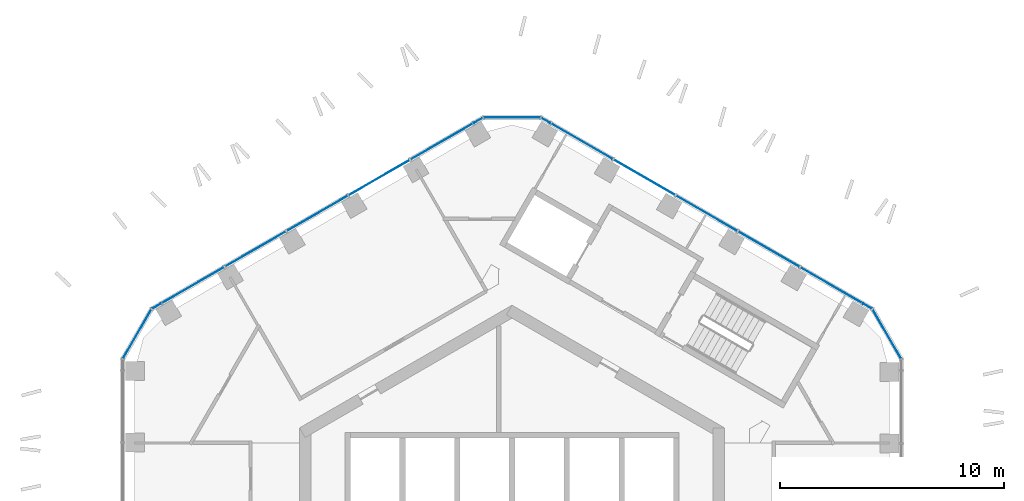
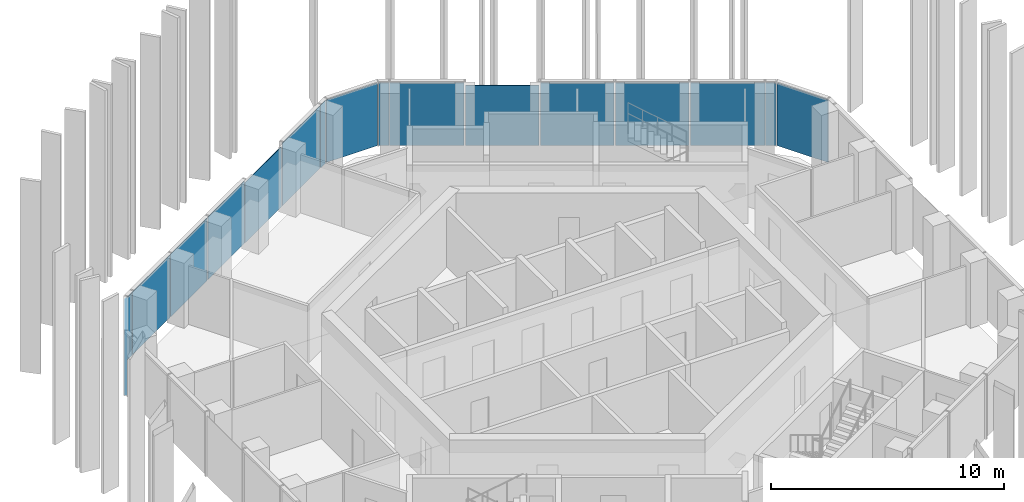
# One storey, part 11 of 18: 17 plates, 5 elements without a shape of their own.
"""IFC4 building model written with IfcOpenShell, lengths in metres."""

from ifc_helpers import new_model, si_unit, direction, frame, origin, origin_2d, place, context, subcontext, project, spatial, rectangle, extrude, material, layer, layer_set, type_object, element, aggregate, save


model = new_model("IFC4")

# Units and contexts
model_context = context("Model", 3, precision=1e-05, world=origin(), true_north=direction((0.0, 1.0)))
body_context = subcontext(model_context, "Body", "Model", "MODEL_VIEW")
ifc_project = project(units=[si_unit("LENGTHUNIT", "METRE"), si_unit("AREAUNIT", "SQUARE_METRE"), si_unit("VOLUMEUNIT", "CUBIC_METRE"), si_unit("PLANEANGLEUNIT", "RADIAN"), si_unit("MASSUNIT", "GRAM", prefix="KILO")], contexts=[model_context])

# Site, building, storey
site_placement = place(None, origin())
site = spatial("IfcSite", under=ifc_project, at=site_placement, CompositionType="ELEMENT")
building_placement = place(site_placement, origin())
building = spatial("IfcBuilding", under=site, at=building_placement, Name="Ayvan Gate Tower", CompositionType="ELEMENT")
storey_placement = place(building_placement, frame((0.0, 0.0, 218.89990234375)))
storey = spatial("IfcBuildingStorey", under=building, at=storey_placement, Name="L58", CompositionType="ELEMENT", Elevation=218.89990234375)

# Curtain wall, plates
ifc_material_1 = material(Name="Bronze anodised aluminium", Category="aluminium")
ifc_layer_1 = layer(ifc_material_1, 0.199951171875)
ifc_layer_set_1 = layer_set([ifc_layer_1], Name="Bronze anodised aluminium")
curtain_wall_type_1 = type_object("IfcCurtainWallType", Name="Stick curtain wall CW-2", PredefinedType="NOTDEFINED", material=ifc_layer_set_1)
curtain_wall_1_placement = place(storey_placement, origin())
curtain_wall_1 = element("IfcCurtainWall", 1, at=curtain_wall_1_placement, inside=storey, type_object=curtain_wall_type_1, Name="Stick curtain wall CW-2 L58", PredefinedType="NOTDEFINED")
ifc_material_2 = material(Name="Clear low-iron laminated glass", Category="glass")
ifc_layer_2 = layer(ifc_material_2, 0.028076171875)
ifc_layer_set_2 = layer_set([ifc_layer_2], Name="Clear low-iron laminated glass")
plate_type_1 = type_object("IfcPlateType", Name="Stick curtain wall CW-2 glass panel", PredefinedType="CURTAIN_PANEL", material=ifc_layer_set_2)
plate_1_placement = place(storey_placement, frame((-3.13037109375, 18.298828125, 0.0), z_axis=(0.0, 0.0, 1.0), x_axis=(-0.866025403784, -0.5, 0.0)))
plate_1 = element("IfcPlate", 2, at=plate_1_placement, type_object=plate_type_1, Name="CW-2 glass panel 1", PredefinedType="CURTAIN_PANEL", context=body_context, shape_type="SweptSolid", body=[
    extrude(rectangle(XDim=3.22705078125, YDim=0.028076171875, at=origin_2d()), origin(), (0.0, 0.0, 1.0), 3.280029296875),
])
plate_2_placement = place(storey_placement, frame((-5.9404296875, 16.676513671875, 0.000244140625), z_axis=(0.0, 0.0, 1.0), x_axis=(-0.866025403784, -0.5, 0.0)))
plate_2 = element("IfcPlate", 3, at=plate_2_placement, type_object=plate_type_1, Name="CW-2 glass panel 2", PredefinedType="CURTAIN_PANEL", context=body_context, shape_type="SweptSolid", body=[
    extrude(rectangle(XDim=3.123046875, YDim=0.028076171875, at=origin_2d()), origin(), (0.0, 0.0, 1.0), 3.14990234375),
])
plate_3_placement = place(storey_placement, frame((-8.706298828125, 15.07958984375, 0.0), z_axis=(0.0, 0.0, 1.0), x_axis=(-0.866025403784, -0.5, 0.0)))
plate_3 = element("IfcPlate", 4, at=plate_3_placement, type_object=plate_type_1, Name="CW-2 glass panel 3", PredefinedType="CURTAIN_PANEL", context=body_context, shape_type="SweptSolid", body=[
    extrude(rectangle(XDim=3.1240234375, YDim=0.028076171875, at=origin_2d()), origin(), (0.0, 0.0, 1.0), 3.280029296875),
])
plate_4_placement = place(storey_placement, frame((-11.471923828125, 13.48291015625, 0.0), z_axis=(0.0, 0.0, 1.0), x_axis=(-0.866025403784, -0.5, 0.0)))
plate_4 = element("IfcPlate", 5, at=plate_4_placement, type_object=plate_type_1, Name="CW-2 glass panel 4", PredefinedType="CURTAIN_PANEL", context=body_context, shape_type="SweptSolid", body=[
    extrude(rectangle(XDim=3.123046875, YDim=0.028076171875, at=origin_2d()), origin(), (0.0, 0.0, 1.0), 3.280029296875),
])
plate_5_placement = place(storey_placement, frame((-14.2822265625, 11.8603515625, 0.0), z_axis=(0.0, 0.0, 1.0), x_axis=(-0.866025403784, -0.5, 0.0)))
plate_5 = element("IfcPlate", 6, at=plate_5_placement, type_object=plate_type_1, Name="CW-2 glass panel 5", PredefinedType="CURTAIN_PANEL", context=body_context, shape_type="SweptSolid", body=[
    extrude(rectangle(XDim=3.22705078125, YDim=0.028076171875, at=origin_2d()), origin(), (0.0, 0.0, 1.0), 3.280029296875),
])
aggregate(curtain_wall_1, [plate_1, plate_2, plate_3, plate_4, plate_5])

curtain_wall_2_placement = place(storey_placement, origin())
curtain_wall_2 = element("IfcCurtainWall", 7, at=curtain_wall_2_placement, inside=storey, type_object=curtain_wall_type_1, Name="Stick curtain wall CW-2 L58", PredefinedType="NOTDEFINED")
plate_6_placement = place(storey_placement, frame((14.295654296875, 11.8525390625, 0.0), z_axis=(0.0, 0.0, 1.0), x_axis=(-0.866025403784, 0.5, 0.0)))
plate_6 = element("IfcPlate", 8, at=plate_6_placement, type_object=plate_type_1, Name="CW-2 glass panel 1", PredefinedType="CURTAIN_PANEL", context=body_context, shape_type="SweptSolid", body=[
    extrude(rectangle(XDim=3.196044921875, YDim=0.028076171875, at=origin_2d()), origin(), (0.0, 0.0, 1.0), 3.280029296875),
])
plate_7_placement = place(storey_placement, frame((11.48974609375, 13.47265625, 0.0), z_axis=(0.0, 0.0, 1.0), x_axis=(-0.866025403784, 0.5, 0.0)))
plate_7 = element("IfcPlate", 9, at=plate_7_placement, type_object=plate_type_1, Name="CW-2 glass panel 2", PredefinedType="CURTAIN_PANEL", context=body_context, shape_type="SweptSolid", body=[
    extrude(rectangle(XDim=3.14404296875, YDim=0.028076171875, at=origin_2d()), origin(), (0.0, 0.0, 1.0), 3.280029296875),
])
plate_8_placement = place(storey_placement, frame((8.706298828125, 15.07958984375, 0.0), z_axis=(0.0, 0.0, 1.0), x_axis=(-0.866025403784, 0.5, 0.0)))
plate_8 = element("IfcPlate", 10, at=plate_8_placement, type_object=plate_type_1, Name="CW-2 glass panel 3", PredefinedType="CURTAIN_PANEL", context=body_context, shape_type="SweptSolid", body=[
    extrude(rectangle(XDim=3.14404296875, YDim=0.028076171875, at=origin_2d()), origin(), (0.0, 0.0, 1.0), 3.280029296875),
])
plate_9_placement = place(storey_placement, frame((5.9228515625, 16.6865234375, 0.000244140625), z_axis=(0.0, 0.0, 1.0), x_axis=(-0.866025403784, 0.5, 0.0)))
plate_9 = element("IfcPlate", 11, at=plate_9_placement, type_object=plate_type_1, Name="CW-2 glass panel 4", PredefinedType="CURTAIN_PANEL", context=body_context, shape_type="SweptSolid", body=[
    extrude(rectangle(XDim=3.14404296875, YDim=0.028076171875, at=origin_2d()), origin(), (0.0, 0.0, 1.0), 3.14990234375),
])
plate_10_placement = place(storey_placement, frame((3.116943359375, 18.306640625, 0.0), z_axis=(0.0, 0.0, 1.0), x_axis=(-0.866025403784, 0.5, 0.0)))
plate_10 = element("IfcPlate", 12, at=plate_10_placement, type_object=plate_type_1, Name="CW-2 glass panel 5", PredefinedType="CURTAIN_PANEL", context=body_context, shape_type="SweptSolid", body=[
    extrude(rectangle(XDim=3.196044921875, YDim=0.028076171875, at=origin_2d()), origin(), (0.0, 0.0, 1.0), 3.280029296875),
])
aggregate(curtain_wall_2, [plate_6, plate_7, plate_8, plate_9, plate_10])

ifc_layer_3 = layer(ifc_material_1, 0.199951171875)
ifc_layer_set_3 = layer_set([ifc_layer_3], Name="Bronze anodised aluminium")
curtain_wall_type_2 = type_object("IfcCurtainWallType", Name="Stick curtain wall CW-6", PredefinedType="NOTDEFINED", material=ifc_layer_set_3)
curtain_wall_3_placement = place(storey_placement, origin())
curtain_wall_3 = element("IfcCurtainWall", 13, at=curtain_wall_3_placement, inside=storey, type_object=curtain_wall_type_2, Name="Stick curtain wall CW-6 L58", PredefinedType="NOTDEFINED")
ifc_layer_4 = layer(ifc_material_2, 0.028076171875)
ifc_layer_set_4 = layer_set([ifc_layer_4], Name="Clear low-iron laminated glass")
plate_type_2 = type_object("IfcPlateType", Name="Stick curtain wall CW-6 glass panel", PredefinedType="CURTAIN_PANEL", material=ifc_layer_set_4)
plate_11_placement = place(storey_placement, frame((-15.90478515625, 10.923583984375, 0.0), z_axis=(0.0, 0.0, 1.0), x_axis=(-0.866025403784, -0.5, 0.0)))
plate_11 = element("IfcPlate", 14, at=plate_11_placement, type_object=plate_type_2, Name="CW-6 glass panel 1", PredefinedType="CURTAIN_PANEL", context=body_context, shape_type="SweptSolid", body=[
    extrude(rectangle(XDim=0.449951171875, YDim=0.028076171875, at=origin_2d()), origin(), (0.0, 0.0, 1.0), 3.280029296875),
])
plate_12_placement = place(storey_placement, frame((-16.766845703125, 9.680419921875, 0.0), z_axis=(0.0, 0.0, 1.0), x_axis=(-0.5, -0.866025403784, 0.0)))
plate_12 = element("IfcPlate", 15, at=plate_12_placement, type_object=plate_type_2, Name="CW-6 glass panel 2", PredefinedType="CURTAIN_PANEL", context=body_context, shape_type="SweptSolid", body=[
    extrude(rectangle(XDim=2.532470703125, YDim=0.028076171875, at=origin_2d()), origin(), (0.0, 0.0, 1.0), 3.280029296875),
])
aggregate(curtain_wall_3, [plate_11, plate_12])

curtain_wall_4_placement = place(storey_placement, origin())
curtain_wall_4 = element("IfcCurtainWall", 16, at=curtain_wall_4_placement, inside=storey, type_object=curtain_wall_type_2, Name="Stick curtain wall CW-6 L58", PredefinedType="NOTDEFINED")
plate_13_placement = place(storey_placement, frame((16.766845703125, 9.680419921875, 0.0), z_axis=(0.0, 0.0, 1.0), x_axis=(-0.5, 0.866025403784, 0.0)))
plate_13 = element("IfcPlate", 17, at=plate_13_placement, type_object=plate_type_2, Name="CW-6 glass panel 2", PredefinedType="CURTAIN_PANEL", context=body_context, shape_type="SweptSolid", body=[
    extrude(rectangle(XDim=2.532470703125, YDim=0.028076171875, at=origin_2d()), origin(), (0.0, 0.0, 1.0), 3.280029296875),
])
plate_14_placement = place(storey_placement, frame((15.90478515625, 10.923583984375, 0.0), z_axis=(0.0, 0.0, 1.0), x_axis=(-0.866025403784, 0.5, 0.0)))
plate_14 = element("IfcPlate", 18, at=plate_14_placement, type_object=plate_type_2, Name="CW-6 glass panel 3", PredefinedType="CURTAIN_PANEL", context=body_context, shape_type="SweptSolid", body=[
    extrude(rectangle(XDim=0.449951171875, YDim=0.028076171875, at=origin_2d()), origin(), (0.0, 0.0, 1.0), 3.280029296875),
])
aggregate(curtain_wall_4, [plate_13, plate_14])

curtain_wall_5_placement = place(storey_placement, origin())
curtain_wall_5 = element("IfcCurtainWall", 19, at=curtain_wall_5_placement, inside=storey, type_object=curtain_wall_type_2, Name="Stick curtain wall CW-6 L58", PredefinedType="NOTDEFINED")
plate_15_placement = place(storey_placement, frame((1.5078125, 19.235595703125, 0.0), z_axis=(0.0, 0.0, 1.0), x_axis=(-0.866025403784, 0.5, 0.0)))
plate_15 = element("IfcPlate", 20, at=plate_15_placement, type_object=plate_type_2, Name="CW-6 glass panel 1", PredefinedType="CURTAIN_PANEL", context=body_context, shape_type="SweptSolid", body=[
    extrude(rectangle(XDim=0.449951171875, YDim=0.028076171875, at=origin_2d()), origin(), (0.0, 0.0, 1.0), 3.280029296875),
])
plate_16_placement = place(storey_placement, frame((0.0, 19.360595703125, 0.0), z_axis=(0.0, 0.0, 1.0), x_axis=(-1.0, 0.0, 0.0)))
plate_16 = element("IfcPlate", 21, at=plate_16_placement, type_object=plate_type_2, Name="CW-6 glass panel 2", PredefinedType="CURTAIN_PANEL", context=body_context, shape_type="SweptSolid", body=[
    extrude(rectangle(XDim=2.532470703125, YDim=0.028076171875, at=origin_2d()), origin(), (0.0, 0.0, 1.0), 3.280029296875),
])
plate_17_placement = place(storey_placement, frame((-1.5078125, 19.235595703125, 0.0), z_axis=(0.0, 0.0, 1.0), x_axis=(-0.866025403784, -0.5, 0.0)))
plate_17 = element("IfcPlate", 22, at=plate_17_placement, type_object=plate_type_2, Name="CW-6 glass panel 3", PredefinedType="CURTAIN_PANEL", context=body_context, shape_type="SweptSolid", body=[
    extrude(rectangle(XDim=0.449951171875, YDim=0.028076171875, at=origin_2d()), origin(), (0.0, 0.0, 1.0), 3.280029296875),
])
aggregate(curtain_wall_5, [plate_15, plate_16, plate_17])

save(model, "model.ifc")
